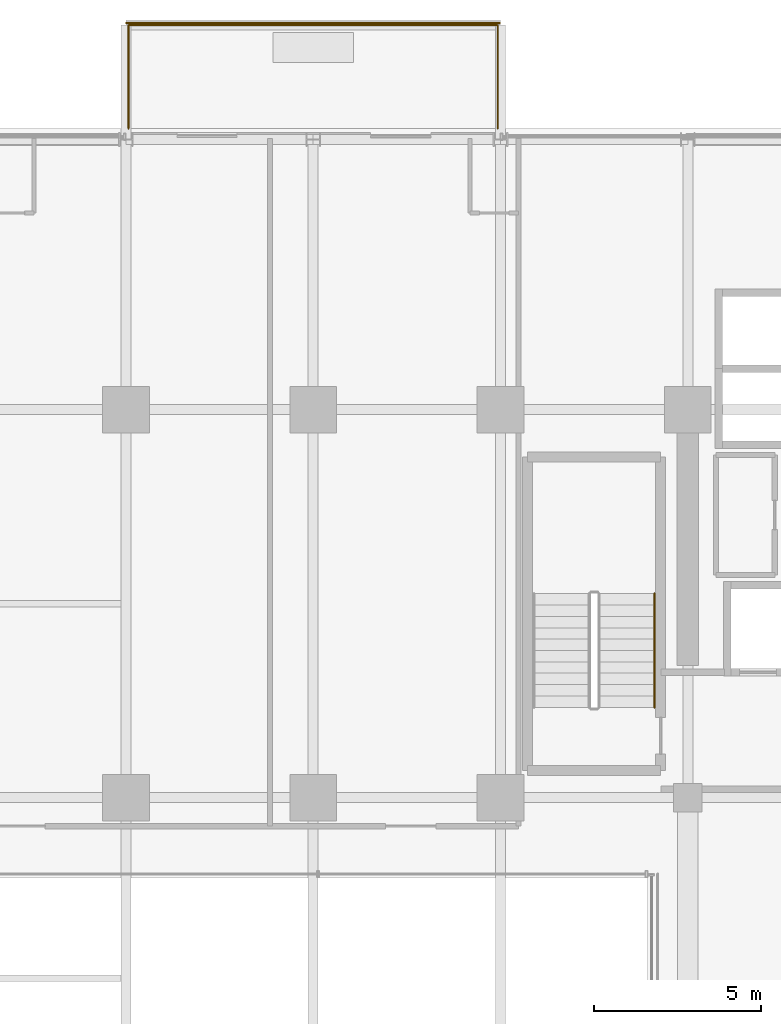
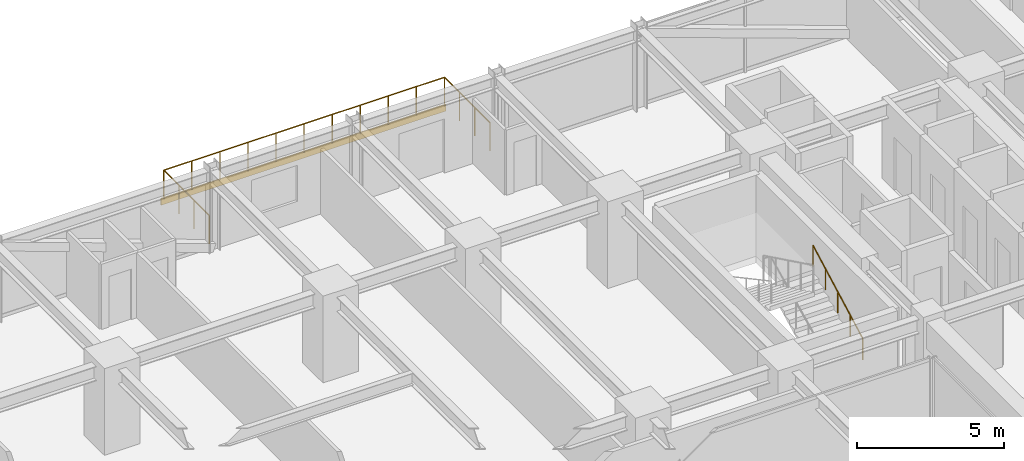
# One storey, part 46 of 47: 2 railings, 1 covering.
"""IFC4 building model written with IfcOpenShell, lengths in metres."""

from ifc_helpers import new_model, si_unit, direction, frame, origin, origin_2d, place, context, subcontext, project, spatial, rectangle, circle, extrude, source, transform, mapped, material, layer, layer_set, type_object, element, save


model = new_model("IFC4")

# Units and contexts
model_context = context("Model", 3, precision=1e-05, world=origin(), true_north=direction((0.0, 1.0)))
body_context = subcontext(model_context, "Body", "Model", "MODEL_VIEW")
ifc_project = project(units=[si_unit("LENGTHUNIT", "METRE"), si_unit("AREAUNIT", "SQUARE_METRE"), si_unit("VOLUMEUNIT", "CUBIC_METRE"), si_unit("PLANEANGLEUNIT", "RADIAN"), si_unit("MASSUNIT", "GRAM", prefix="KILO")], contexts=[model_context])

# Site, building, storey
site_placement = place(None, origin())
site = spatial("IfcSite", under=ifc_project, at=site_placement, CompositionType="ELEMENT")
building_placement = place(site_placement, origin())
building = spatial("IfcBuilding", under=site, at=building_placement, Name="Nahalor Promenade Grand Hotel", CompositionType="ELEMENT")
storey_placement = place(building_placement, frame((0.0, 0.0, 68.89990234375)))
storey = spatial("IfcBuildingStorey", under=building, at=storey_placement, Name="L16", CompositionType="ELEMENT", Elevation=68.89990234375)

# Railings
ifc_material_1 = material(Name="Anodised Bronze Aluminium EN AW-6063 T6", Category="aluminium")
railing_type_1 = type_object("IfcRailingType", Name="Bronze Balcony Guardrail 1200 mm", PredefinedType="GUARDRAIL", material=ifc_material_1)
railing_1_placement = place(storey_placement, frame((-8.320068359375, 25.39990234375, 0.0)))
element("IfcRailing", 1, at=railing_1_placement, inside=storey, type_object=railing_type_1, Name="L16 Balcony Guardrail 1", PredefinedType="GUARDRAIL", context=body_context, shape_type="SweptSolid", body=[
    extrude(circle(Radius=0.024048, at=origin_2d()), frame((0.0, 0.0, 1.17578125), z_axis=(0.0, 1.0, 0.0), x_axis=(-1.0, 0.0, 0.0)), (0.0, 0.0, 1.0), 3.09814453125),
    extrude(circle(Radius=0.024048, at=origin_2d()), frame((0.001953125, 3.10009765625, 1.17578125), z_axis=(1.0, 0.0, 0.0), x_axis=(0.0, 1.0, 0.0)), (0.0, 0.0, 1.0), 11.0361328125),
    extrude(circle(Radius=0.024048, at=origin_2d()), frame((11.0400390625, 3.09814453125, 1.17578125), z_axis=(0.0, -1.0, 0.0), x_axis=(1.0, 0.0, 0.0)), (0.0, 0.0, 1.0), 3.09814453125),
    extrude(circle(Radius=0.020996, at=origin_2d()), origin(), (0.0, 0.0, 1.0), 1.14990234375),
    extrude(circle(Radius=0.020996, at=origin_2d()), frame((0.0, 1.033447265625, 0.0)), (0.0, 0.0, 1.0), 1.14990234375),
    extrude(circle(Radius=0.020996, at=origin_2d()), frame((0.0, 2.066650390625, 0.0)), (0.0, 0.0, 1.0), 1.14990234375),
    extrude(circle(Radius=0.020996, at=origin_2d()), frame((0.0, 3.10009765625, 0.0)), (0.0, 0.0, 1.0), 1.14990234375),
    extrude(circle(Radius=0.020996, at=origin_2d()), frame((1.10400390625, 3.10009765625, 0.0)), (0.0, 0.0, 1.0), 1.14990234375),
    extrude(circle(Radius=0.020996, at=origin_2d()), frame((2.2080078125, 3.10009765625, 0.0)), (0.0, 0.0, 1.0), 1.14990234375),
    extrude(circle(Radius=0.020996, at=origin_2d()), frame((3.31201171875, 3.10009765625, 0.0)), (0.0, 0.0, 1.0), 1.14990234375),
    extrude(circle(Radius=0.020996, at=origin_2d()), frame((4.416015625, 3.10009765625, 0.0)), (0.0, 0.0, 1.0), 1.14990234375),
    extrude(circle(Radius=0.020996, at=origin_2d()), frame((5.52001953125, 3.10009765625, 0.0)), (0.0, 0.0, 1.0), 1.14990234375),
    extrude(circle(Radius=0.020996, at=origin_2d()), frame((6.6240234375, 3.10009765625, 0.0)), (0.0, 0.0, 1.0), 1.14990234375),
    extrude(circle(Radius=0.020996, at=origin_2d()), frame((7.72802734375, 3.10009765625, 0.0)), (0.0, 0.0, 1.0), 1.14990234375),
    extrude(circle(Radius=0.020996, at=origin_2d()), frame((8.83203125, 3.10009765625, 0.0)), (0.0, 0.0, 1.0), 1.14990234375),
    extrude(circle(Radius=0.020996, at=origin_2d()), frame((9.93603515625, 3.10009765625, 0.0)), (0.0, 0.0, 1.0), 1.14990234375),
    extrude(circle(Radius=0.020996, at=origin_2d()), frame((11.0400390625, 3.10009765625, 0.0)), (0.0, 0.0, 1.0), 1.14990234375),
    extrude(circle(Radius=0.020996, at=origin_2d()), frame((11.0400390625, 2.066650390625, 0.0)), (0.0, 0.0, 1.0), 1.14990234375),
    extrude(circle(Radius=0.020996, at=origin_2d()), frame((11.0400390625, 1.033447265625, 0.0)), (0.0, 0.0, 1.0), 1.14990234375),
    extrude(circle(Radius=0.020996, at=origin_2d()), frame((11.0400390625, 0.0, 0.0)), (0.0, 0.0, 1.0), 1.14990234375),
])
ifc_material_2 = material(Name="Steel S355JR", Category="steel")
railing_type_2 = type_object("IfcRailingType", Name="Steel Stair Handrail 900 mm", PredefinedType="HANDRAIL", material=ifc_material_2)
railing_2_placement = place(storey_placement, frame((7.39990234375, 8.10009765625, 0.166015625)))
element("IfcRailing", 2, at=railing_2_placement, inside=storey, type_object=railing_type_2, Name="L16 ST1 stair handrail 1", PredefinedType="HANDRAIL", context=body_context, shape_type="SweptSolid", body=[
    extrude(circle(Radius=0.024048, at=origin_2d()), frame((0.0, 0.0, 0.8759765625), z_axis=(0.0, 0.881094038095, 0.47294111265), x_axis=(-1.0, 0.0, 0.0)), (0.0, 0.0, 1.0), 3.858642578125),
    extrude(circle(Radius=0.020996, at=origin_2d()), origin(), (0.0, 0.0, 1.0), 0.849853515625),
    extrude(circle(Radius=0.020996, at=origin_2d()), frame((0.0, 0.85009765625, 0.456298828125)), (0.0, 0.0, 1.0), 0.849853515625),
    extrude(circle(Radius=0.020996, at=origin_2d()), frame((0.0, 1.699951171875, 0.91259765625)), (0.0, 0.0, 1.0), 0.849853515625),
    extrude(circle(Radius=0.020996, at=origin_2d()), frame((0.0, 2.5498046875, 1.36865234375)), (0.0, 0.0, 1.0), 0.849853515625),
    extrude(circle(Radius=0.020996, at=origin_2d()), frame((0.0, 3.39990234375, 1.824951171875)), (0.0, 0.0, 1.0), 0.849853515625),
])

# Covering
ifc_layer = layer(ifc_material_1, 0.0400390625)
ifc_layer_set = layer_set([ifc_layer], Name="Anodised Bronze Aluminium EN AW-6063 T6")
covering_type = type_object("IfcCoveringType", Name="Bronze Spandrel Cladding Panel", PredefinedType="CLADDING", material=ifc_layer_set)
shared_shape = source(origin(), body_context, "Body", "SweptSolid", [
    extrude(rectangle(XDim=11.199951171875, YDim=0.0400390625, at=origin_2d()), origin(), (0.0, 0.0, 1.0), 0.280029296875),
])
covering_placement = place(storey_placement, frame((-2.800048828125, 28.56005859375, -0.27978515625), z_axis=(0.0, 0.0, 1.0), x_axis=(1.0, 0.0, 0.0)))
element("IfcCovering", 3, at=covering_placement, inside=storey, type_object=covering_type, Name="CL-L16-BALC-01", PredefinedType="CLADDING", context=body_context, shape_type="MappedRepresentation", body=[
    mapped(shared_shape, transform((0.0, 0.0, 0.0), scale=1.0)),
])

save(model, "model.ifc")
